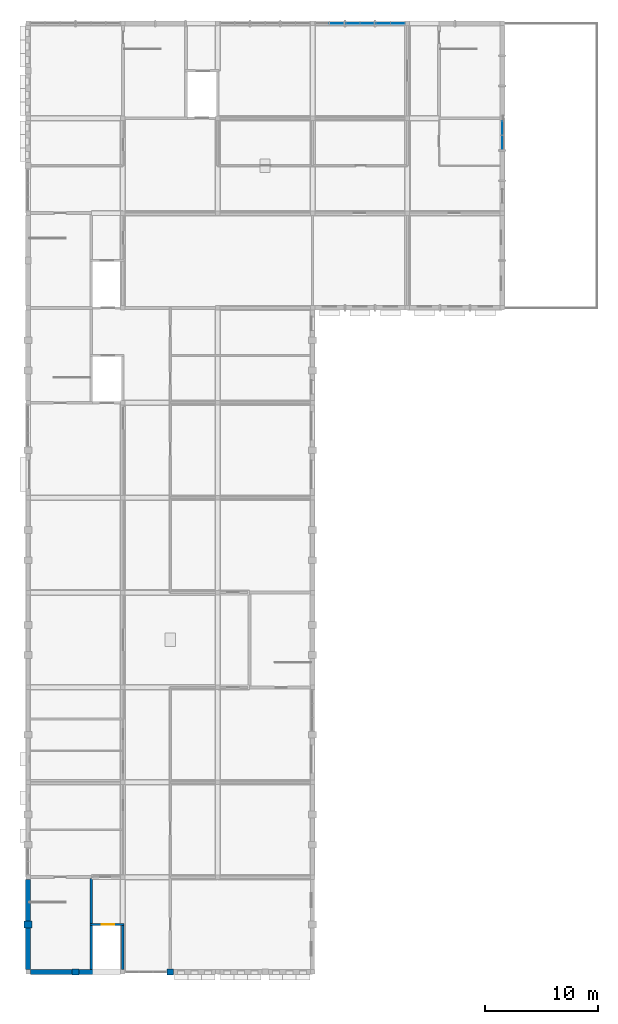
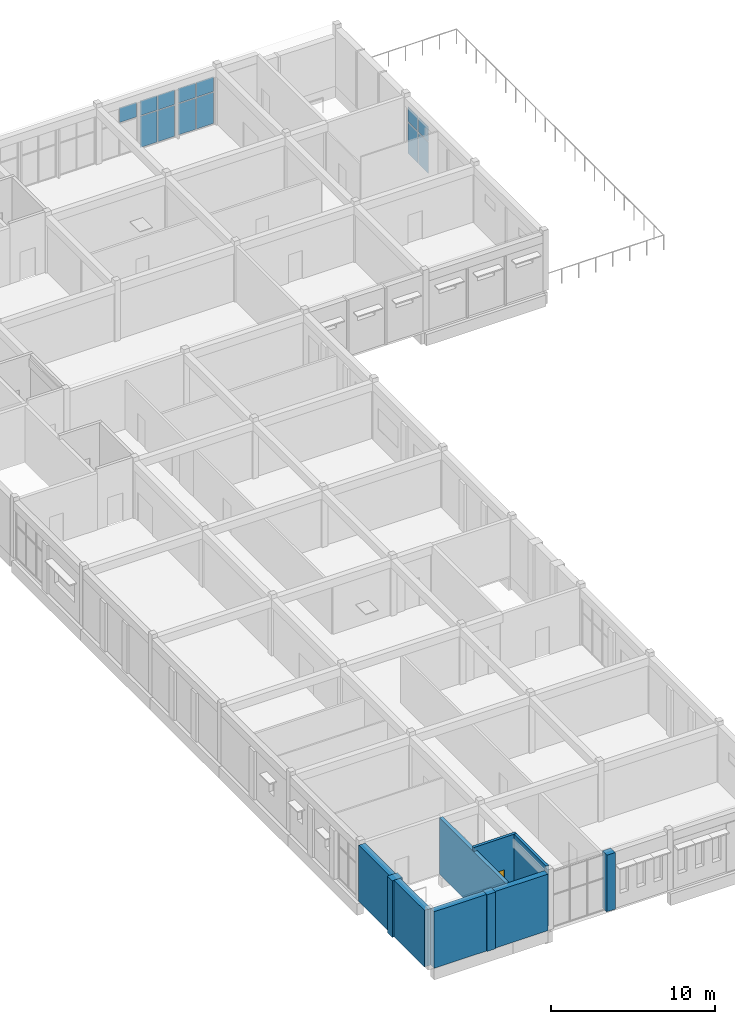
# One storey, part 9 of 15: 13 plates, 10 walls, 1 door, 1 opening, 4 elements without a shape of their own.
"""IFC4 building model written with IfcOpenShell, lengths in metres."""

from ifc_helpers import new_model, si_unit, direction, frame, frame_2d, origin, origin_2d, place, context, subcontext, project, spatial, rectangle, extrude, material, layer, layer_set, type_object, element, fill, aggregate, save


model = new_model("IFC4")

# Units and contexts
model_context = context("Model", 3, precision=1e-05, world=origin(), true_north=direction((0.0, 1.0)))
body_context = subcontext(model_context, "Body", "Model", "MODEL_VIEW")
ifc_project = project(units=[si_unit("LENGTHUNIT", "METRE"), si_unit("AREAUNIT", "SQUARE_METRE"), si_unit("VOLUMEUNIT", "CUBIC_METRE"), si_unit("PLANEANGLEUNIT", "RADIAN"), si_unit("MASSUNIT", "GRAM", prefix="KILO")], contexts=[model_context])

# Site, building, storey
site_placement = place(None, origin())
site = spatial("IfcSite", under=ifc_project, at=site_placement, CompositionType="ELEMENT")
building_placement = place(site_placement, origin())
building = spatial("IfcBuilding", under=site, at=building_placement, Name="Fescue Hill Polytechnic", CompositionType="ELEMENT")
storey_placement = place(building_placement, frame((0.0, 0.0, 31.5)))
storey = spatial("IfcBuildingStorey", under=building, at=storey_placement, Name="L07", CompositionType="ELEMENT", Elevation=31.5)

# Curtain wall, plates
ifc_material_1 = material(Name="Glass", Category="glass")
curtain_wall_type = type_object("IfcCurtainWallType", Name="Curtain wall structural glazing", PredefinedType="NOTDEFINED", material=ifc_material_1)
curtain_wall_1_placement = place(storey_placement, origin())
curtain_wall_1 = element("IfcCurtainWall", 1, at=curtain_wall_1_placement, inside=storey, type_object=curtain_wall_type, Name="CW-L07-V5-1", PredefinedType="NOTDEFINED")
ifc_layer_1 = layer(ifc_material_1, 0.028076171875)
ifc_layer_set_1 = layer_set([ifc_layer_1], Name="Glass")
plate_type = type_object("IfcPlateType", Name="Panel glazing 28", PredefinedType="CURTAIN_PANEL", material=ifc_layer_set_1)
plate_1_placement = place(storey_placement, frame((32.7333984375, 134.39990234375, 0.06005859375), z_axis=(0.0, 0.0, 1.0), x_axis=(-1.0, 0.0, 0.0)))
plate_1 = element("IfcPlate", 2, at=plate_1_placement, type_object=plate_type, Name="CW106 panel 1.1", PredefinedType="CURTAIN_PANEL", context=body_context, shape_type="SweptSolid", body=[
    extrude(rectangle(XDim=1.21337890625, YDim=0.028076171875, at=origin_2d()), origin(), (0.0, 0.0, 1.0), 2.31005859375),
])
plate_2_placement = place(storey_placement, frame((32.7333984375, 134.39990234375, 2.43017578125), z_axis=(0.0, 0.0, 1.0), x_axis=(-1.0, 0.0, 0.0)))
plate_2 = element("IfcPlate", 3, at=plate_2_placement, type_object=plate_type, Name="CW106 panel 1.2", PredefinedType="CURTAIN_PANEL", context=body_context, shape_type="SweptSolid", body=[
    extrude(rectangle(XDim=1.21337890625, YDim=0.028076171875, at=origin_2d()), origin(), (0.0, 0.0, 1.0), 1.090087890625),
])
plate_3_placement = place(storey_placement, frame((31.4599609375, 134.39990234375, 0.06005859375), z_axis=(0.0, 0.0, 1.0), x_axis=(-1.0, 0.0, 0.0)))
plate_3 = element("IfcPlate", 4, at=plate_3_placement, type_object=plate_type, Name="CW106 panel 2.1", PredefinedType="CURTAIN_PANEL", context=body_context, shape_type="SweptSolid", body=[
    extrude(rectangle(XDim=1.21337890625, YDim=0.028076171875, at=origin_2d()), origin(), (0.0, 0.0, 1.0), 2.31005859375),
])
plate_4_placement = place(storey_placement, frame((31.4599609375, 134.39990234375, 2.43017578125), z_axis=(0.0, 0.0, 1.0), x_axis=(-1.0, 0.0, 0.0)))
plate_4 = element("IfcPlate", 5, at=plate_4_placement, type_object=plate_type, Name="CW106 panel 2.2", PredefinedType="CURTAIN_PANEL", context=body_context, shape_type="SweptSolid", body=[
    extrude(rectangle(XDim=1.21337890625, YDim=0.028076171875, at=origin_2d()), origin(), (0.0, 0.0, 1.0), 1.090087890625),
])
aggregate(curtain_wall_1, [plate_1, plate_2, plate_3, plate_4])

curtain_wall_2_placement = place(storey_placement, origin())
curtain_wall_2 = element("IfcCurtainWall", 6, at=curtain_wall_2_placement, inside=storey, type_object=curtain_wall_type, Name="CW-L07-V5-2", PredefinedType="NOTDEFINED")
plate_5_placement = place(storey_placement, frame((30.021728515625, 134.39990234375, 0.06005859375), z_axis=(0.0, 0.0, 1.0), x_axis=(-1.0, 0.0, 0.0)))
plate_5 = element("IfcPlate", 7, at=plate_5_placement, type_object=plate_type, Name="CW107 panel 1.1", PredefinedType="CURTAIN_PANEL", context=body_context, shape_type="SweptSolid", body=[
    extrude(rectangle(XDim=1.183349609375, YDim=0.028076171875, at=origin_2d()), origin(), (0.0, 0.0, 1.0), 2.31005859375),
])
plate_6_placement = place(storey_placement, frame((30.021728515625, 134.39990234375, 2.43017578125), z_axis=(0.0, 0.0, 1.0), x_axis=(-1.0, 0.0, 0.0)))
plate_6 = element("IfcPlate", 8, at=plate_6_placement, type_object=plate_type, Name="CW107 panel 1.2", PredefinedType="CURTAIN_PANEL", context=body_context, shape_type="SweptSolid", body=[
    extrude(rectangle(XDim=1.183349609375, YDim=0.028076171875, at=origin_2d()), origin(), (0.0, 0.0, 1.0), 1.090087890625),
])
plate_7_placement = place(storey_placement, frame((28.7783203125, 134.39990234375, 0.06005859375), z_axis=(0.0, 0.0, 1.0), x_axis=(-1.0, 0.0, 0.0)))
plate_7 = element("IfcPlate", 9, at=plate_7_placement, type_object=plate_type, Name="CW107 panel 2.1", PredefinedType="CURTAIN_PANEL", context=body_context, shape_type="SweptSolid", body=[
    extrude(rectangle(XDim=1.183349609375, YDim=0.028076171875, at=origin_2d()), origin(), (0.0, 0.0, 1.0), 2.31005859375),
])
plate_8_placement = place(storey_placement, frame((28.7783203125, 134.39990234375, 2.43017578125), z_axis=(0.0, 0.0, 1.0), x_axis=(-1.0, 0.0, 0.0)))
plate_8 = element("IfcPlate", 10, at=plate_8_placement, type_object=plate_type, Name="CW107 panel 2.2", PredefinedType="CURTAIN_PANEL", context=body_context, shape_type="SweptSolid", body=[
    extrude(rectangle(XDim=1.183349609375, YDim=0.028076171875, at=origin_2d()), origin(), (0.0, 0.0, 1.0), 1.090087890625),
])
aggregate(curtain_wall_2, [plate_5, plate_6, plate_7, plate_8])

# Curtain wall, plate
curtain_wall_3_placement = place(storey_placement, origin())
curtain_wall_3 = element("IfcCurtainWall", 11, at=curtain_wall_3_placement, inside=storey, type_object=curtain_wall_type, Name="CW-L07-V5-3", PredefinedType="NOTDEFINED")
plate_9_placement = place(storey_placement, frame((27.340087890625, 134.39990234375, 2.43017578125), z_axis=(0.0, 0.0, 1.0), x_axis=(-1.0, 0.0, 0.0)))
plate_9 = element("IfcPlate", 12, at=plate_9_placement, type_object=plate_type, Name="CW108 panel 1.2", PredefinedType="CURTAIN_PANEL", context=body_context, shape_type="SweptSolid", body=[
    extrude(rectangle(XDim=1.21337890625, YDim=0.028076171875, at=origin_2d()), origin(), (0.0, 0.0, 1.0), 1.090087890625),
])
aggregate(curtain_wall_3, [plate_9])

# Curtain wall, plates
curtain_wall_4_placement = place(storey_placement, origin())
curtain_wall_4 = element("IfcCurtainWall", 13, at=curtain_wall_4_placement, inside=storey, type_object=curtain_wall_type, Name="CW-L07-V5-X2", PredefinedType="NOTDEFINED")
plate_10_placement = place(storey_placement, frame((42.0, 123.85986328125, 0.06005859375), z_axis=(0.0, 0.0, 1.0), x_axis=(0.0, 1.0, 0.0)))
plate_10 = element("IfcPlate", 14, at=plate_10_placement, type_object=plate_type, Name="CW156 panel 1.1", PredefinedType="CURTAIN_PANEL", context=body_context, shape_type="SweptSolid", body=[
    extrude(rectangle(XDim=1.21337890625, YDim=0.028076171875, at=origin_2d()), origin(), (0.0, 0.0, 1.0), 2.31005859375),
])
plate_11_placement = place(storey_placement, frame((42.0, 123.85986328125, 2.43017578125), z_axis=(0.0, 0.0, 1.0), x_axis=(0.0, 1.0, 0.0)))
plate_11 = element("IfcPlate", 15, at=plate_11_placement, type_object=plate_type, Name="CW156 panel 1.2", PredefinedType="CURTAIN_PANEL", context=body_context, shape_type="SweptSolid", body=[
    extrude(rectangle(XDim=1.21337890625, YDim=0.028076171875, at=origin_2d()), origin(), (0.0, 0.0, 1.0), 1.090087890625),
])
plate_12_placement = place(storey_placement, frame((42.0, 125.13330078125, 0.06005859375), z_axis=(0.0, 0.0, 1.0), x_axis=(0.0, 1.0, 0.0)))
plate_12 = element("IfcPlate", 16, at=plate_12_placement, type_object=plate_type, Name="CW156 panel 2.1", PredefinedType="CURTAIN_PANEL", context=body_context, shape_type="SweptSolid", body=[
    extrude(rectangle(XDim=1.21337890625, YDim=0.028076171875, at=origin_2d()), origin(), (0.0, 0.0, 1.0), 2.31005859375),
])
plate_13_placement = place(storey_placement, frame((42.0, 125.13330078125, 2.43017578125), z_axis=(0.0, 0.0, 1.0), x_axis=(0.0, 1.0, 0.0)))
plate_13 = element("IfcPlate", 17, at=plate_13_placement, type_object=plate_type, Name="CW156 panel 2.2", PredefinedType="CURTAIN_PANEL", context=body_context, shape_type="SweptSolid", body=[
    extrude(rectangle(XDim=1.21337890625, YDim=0.028076171875, at=origin_2d()), origin(), (0.0, 0.0, 1.0), 1.090087890625),
])
aggregate(curtain_wall_4, [plate_10, plate_11, plate_12, plate_13])

# Walls
ifc_material_2 = material(Name="Clay brick masonry", Category="masonry")
ifc_layer_2 = layer(ifc_material_2, 0.550048828125)
ifc_layer_set_2 = layer_set([ifc_layer_2], Name="Clay brick masonry")
wall_type_1 = type_object("IfcWallType", Name="Brick pier 600x550", PredefinedType="SOLIDWALL", material=ifc_layer_set_2)
wall_1_placement = place(storey_placement, frame((3.89990234375, 50.39990234375, 0.0), z_axis=(0.0, 0.0, 1.0), x_axis=(1.0, 0.0, 0.0)))
element("IfcWall", 18, at=wall_1_placement, inside=storey, type_object=wall_type_1, Name="PR-L07-V4-23", PredefinedType="SOLIDWALL", context=body_context, shape_type="SweptSolid", body=[
    extrude(rectangle(XDim=0.60009765625, YDim=0.550048828125, at=frame_2d((0.300048828125, 0.0))), origin(), (0.0, 0.0, 1.0), 4.199951171875),
])
wall_2_placement = place(storey_placement, frame((12.300048828125, 50.39990234375, 0.0), z_axis=(0.0, 0.0, 1.0), x_axis=(1.0, 0.0, 0.0)))
element("IfcWall", 19, at=wall_2_placement, inside=storey, type_object=wall_type_1, Name="PR-L07-V4-24", PredefinedType="SOLIDWALL", context=body_context, shape_type="SweptSolid", body=[
    extrude(rectangle(XDim=0.599853515625, YDim=0.550048828125, at=frame_2d((0.2998046875, 0.0))), origin(), (0.0, 0.0, 1.0), 4.199951171875),
])
ifc_material_3 = material(Name="Concrete 40 MPa", Category="concrete")
ifc_layer_3 = layer(ifc_material_3, 0.25)
ifc_layer_set_3 = layer_set([ifc_layer_3], Name="Concrete 40 MPa")
wall_type_2 = type_object("IfcWallType", Name="Core wall 250", PredefinedType="SHEAR", material=ifc_layer_set_3)
wall_3_placement = place(storey_placement, frame((5.60009765625, 50.52490234375, 0.0), z_axis=(0.0, 0.0, 1.0), x_axis=(0.0, 1.0, 0.0)))
element("IfcWall", 20, at=wall_3_placement, inside=storey, type_object=wall_type_2, Name="CW-L07-ST-V4-1-41", PredefinedType="SHEAR", context=body_context, shape_type="SweptSolid", body=[
    extrude(rectangle(XDim=8.150146484375, YDim=0.25, at=frame_2d((4.0751953125, 0.0))), origin(), (0.0, 0.0, 1.0), 4.199951171875),
])
ifc_layer_4 = layer(ifc_material_3, 0.449951171875)
ifc_layer_set_4 = layer_set([ifc_layer_4], Name="Concrete 40 MPa")
wall_type_3 = type_object("IfcWallType", Name="Exterior wall board-marked concrete 450 load-bearing", PredefinedType="SOLIDWALL", material=ifc_layer_set_4)
wall_4_placement = place(storey_placement, frame((0.0, 58.60009765625, 0.0), z_axis=(0.0, 0.0, 1.0), x_axis=(0.0, -1.0, 0.0)))
element("IfcWall", 21, at=wall_4_placement, inside=storey, type_object=wall_type_3, Name="EW-L07-V4-35", PredefinedType="SOLIDWALL", context=body_context, shape_type="SweptSolid", body=[
    extrude(rectangle(XDim=3.7001953125, YDim=0.449951171875, at=frame_2d((1.85009765625, 0.0))), origin(), (0.0, 0.0, 1.0), 4.199951171875),
])
wall_5_placement = place(storey_placement, frame((0.0, 54.300048828125, 0.0), z_axis=(0.0, 0.0, 1.0), x_axis=(0.0, -1.0, 0.0)))
element("IfcWall", 22, at=wall_5_placement, inside=storey, type_object=wall_type_3, Name="EW-L07-V4-36", PredefinedType="SOLIDWALL", context=body_context, shape_type="SweptSolid", body=[
    extrude(rectangle(XDim=3.699951171875, YDim=0.449951171875, at=frame_2d((1.85009765625, 0.0))), origin(), (0.0, 0.0, 1.0), 4.199951171875),
])
ifc_layer_5 = layer(ifc_material_2, 0.419921875)
ifc_layer_set_5 = layer_set([ifc_layer_5], Name="Clay brick masonry")
wall_type_4 = type_object("IfcWallType", Name="Exterior wall buff-red brick cavity 420 load-bearing", PredefinedType="SOLIDWALL", material=ifc_layer_set_5)
for number, where, z_axis, x_axis, name in (
    (23, (0.199951171875, 50.39990234375, 0.0), (0.0, 0.0, 1.0), (1.0, 0.0, 0.0), "EW-L07-V4-37"),
    (24, (4.5, 50.39990234375, 0.0), (0.0, 0.0, 1.0), (1.0, 0.0, 0.0), "EW-L07-V4-38"),
):
    element("IfcWall", number, at=place(storey_placement, frame(where, z_axis=z_axis, x_axis=x_axis)), inside=storey, type_object=wall_type_4, Name=name, PredefinedType="SOLIDWALL", context=body_context, shape_type="SweptSolid", body=[
        extrude(rectangle(XDim=3.699951171875, YDim=0.419921875, at=frame_2d((1.85009765625, 0.0))), origin(), (0.0, 0.0, 1.0), 4.199951171875),
    ])
ifc_layer_6 = layer(ifc_material_3, 0.699951171875)
ifc_layer_set_6 = layer_set([ifc_layer_6], Name="Concrete 40 MPa")
wall_type_5 = type_object("IfcWallType", Name="Fin wall board-marked 600x700", PredefinedType="SOLIDWALL", material=ifc_layer_set_6)
wall_6_placement = place(storey_placement, frame((0.0, 54.89990234375, 0.0), z_axis=(0.0, 0.0, 1.0), x_axis=(0.0, -1.0, 0.0)))
element("IfcWall", 25, at=wall_6_placement, inside=storey, type_object=wall_type_5, Name="PR-L07-V4-22", PredefinedType="SOLIDWALL", context=body_context, shape_type="SweptSolid", body=[
    extrude(rectangle(XDim=0.599853515625, YDim=0.699951171875, at=frame_2d((0.2998046875, 0.0))), origin(), (0.0, 0.0, 1.0), 4.199951171875),
])

# Wall, opening, door
ifc_layer_7 = layer(ifc_material_3, 0.199951171875)
ifc_layer_set_7 = layer_set([ifc_layer_7], Name="Concrete 40 MPa")
wall_type_6 = type_object("IfcWallType", Name="Lift shaft wall 200", PredefinedType="SHEAR", material=ifc_layer_set_7)
wall_7_placement = place(storey_placement, frame((5.5, 54.60009765625, 0.0), z_axis=(0.0, 0.0, 1.0), x_axis=(1.0, 0.0, 0.0)))
wall_7 = element("IfcWall", 26, at=wall_7_placement, inside=storey, type_object=wall_type_6, Name="CW-L07-LF-V4-1-21", PredefinedType="SHEAR", context=body_context, shape_type="SweptSolid", body=[
    extrude(rectangle(XDim=3.0, YDim=0.199951171875, at=frame_2d((1.5, 0.0))), origin(), (0.0, 0.0, 1.0), 4.5),
])
opening_placement = place(wall_7_placement, frame((1.050048828125, 0.0, 0.0)))
opening = element("IfcOpeningElement", 27, at=opening_placement, cuts=wall_7, Name="Opening LD4-L07", PredefinedType="OPENING", context=body_context, shape_type="SweptSolid", body=[
    extrude(rectangle(XDim=1.10009765625, YDim=2.10009765625, at=frame_2d((0.550048828125, 1.050048828125))), frame((0.0, 0.10986328125, 0.0), z_axis=(0.0, -1.0, 0.0), x_axis=(1.0, 0.0, 0.0)), (0.0, 0.0, 1.0), 0.219970703125),
])
ifc_material_4 = material(Name="Stainless steel", Category="steel")
door_type = type_object("IfcDoorType", Name="Lift landing door sliding 1100x2100", OperationType="SLIDING_TO_LEFT", PredefinedType="DOOR", material=ifc_material_4)
door_placement = place(opening_placement, origin())
door = element("IfcDoor", 28, at=door_placement, inside=storey, type_object=door_type, Name="L07 LF-V4-1 lift landing door", OperationType="SLIDING_TO_RIGHT", OverallHeight=2.10009765625, OverallWidth=1.10009765625, PredefinedType="DOOR", context=body_context, shape_type="SweptSolid", body=[
    extrude(rectangle(XDim=1.10009765625, YDim=2.10009765625, at=frame_2d((0.550048828125, 1.050048828125))), frame((0.0, 0.02490234375, 0.0), z_axis=(0.0, -1.0, 0.0), x_axis=(1.0, 0.0, 0.0)), (0.0, 0.0, 1.0), 0.050048828125),
])
fill(opening, door)

# Wall
wall_8_placement = place(storey_placement, frame((8.39990234375, 50.60009765625, 0.0), z_axis=(0.0, 0.0, 1.0), x_axis=(0.0, 1.0, 0.0)))
element("IfcWall", 29, at=wall_8_placement, inside=storey, type_object=wall_type_6, Name="CW-L07-LF-V4-1-41", PredefinedType="SHEAR", context=body_context, shape_type="SweptSolid", body=[
    extrude(rectangle(XDim=3.89990234375, YDim=0.199951171875, at=frame_2d((1.949951171875, 0.0))), origin(), (0.0, 0.0, 1.0), 4.5),
])

save(model, "model.ifc")
